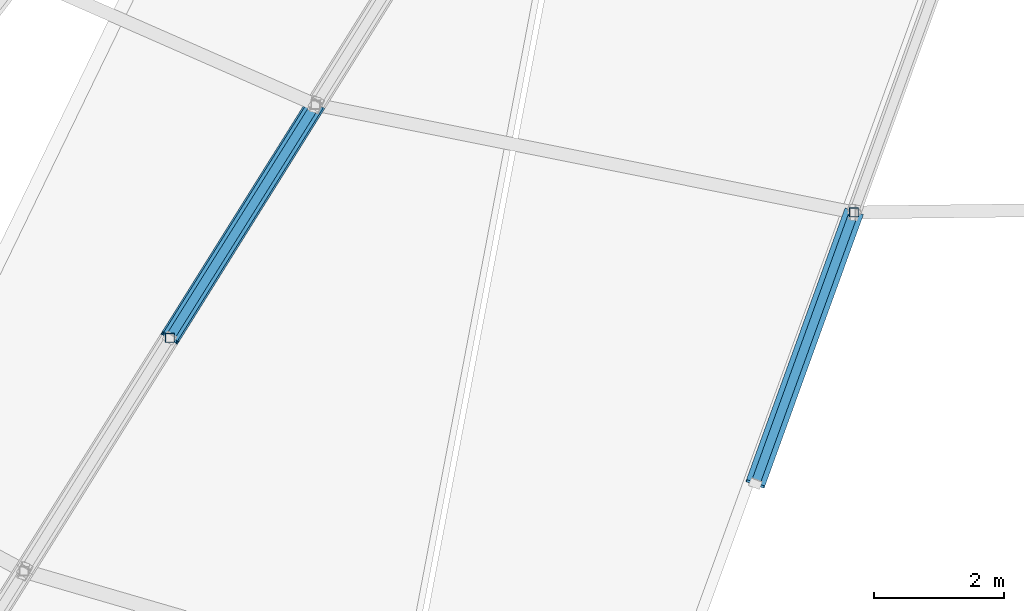
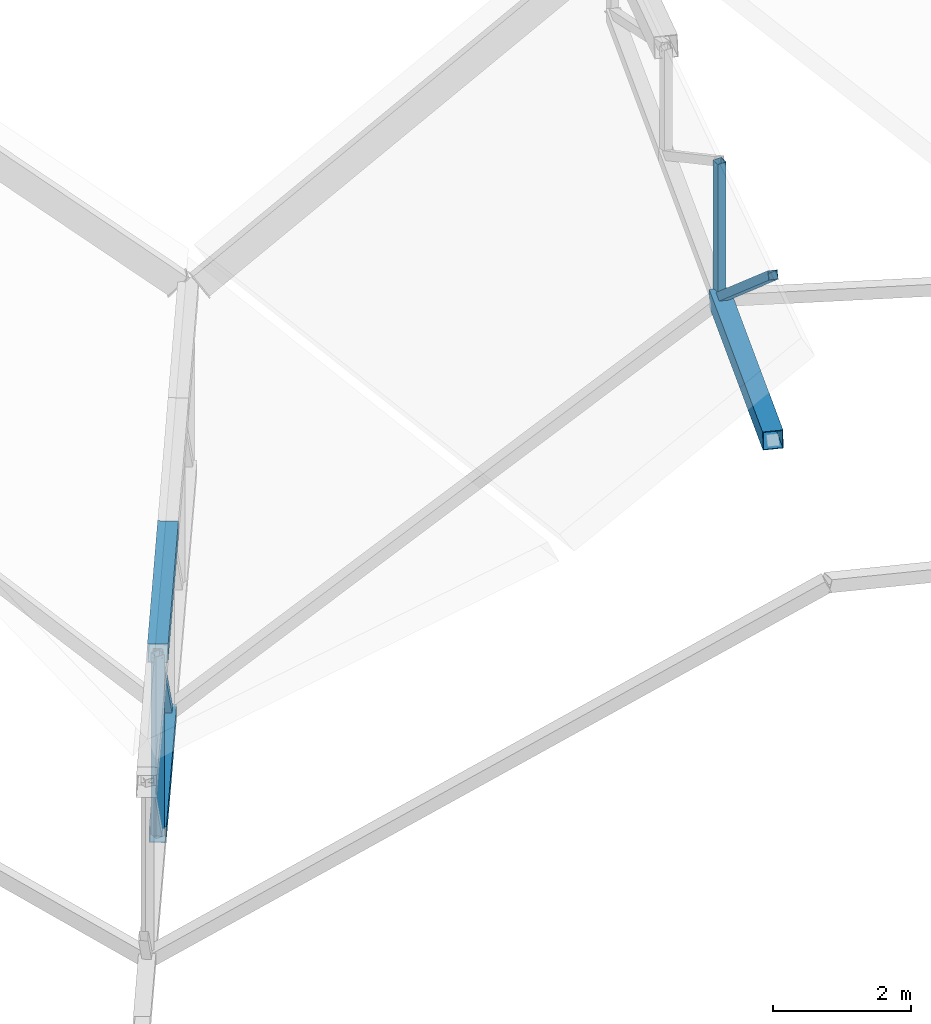
# One storey, part 30 of 344: 7 members.
"""IFC4 building model written with IfcOpenShell, lengths in metres."""

import ifcopenshell
import ifcopenshell.guid

model = None  # the IFC model being written
_history = None  # IfcOwnerHistory: only IFC2X3 demands one
_inside = {}  # id of a spatial element -> (the spatial element, [elements in it])
_under = {}  # id of a project, library or spatial element -> (it, [spatial elements below it])
_declared = {}  # id of a project -> (the project, [libraries it declares])
_typed = {}  # id of a type object -> (the type object, [elements of that type])
_made_of = {}  # id of a material, layer set ... -> (it, [elements and type objects made of it])


def new_model(schema):
    """Start an empty IFC model of exactly this schema.

    Asked for "IFC4X3", IfcOpenShell would pick the latest addendum, in which some entities
    have other attributes; the version numbers below select the first issue.
    IFC2X3 requires an IfcOwnerHistory on every rooted entity: one is made here for all.
    """
    global model, _history
    if schema == "IFC4X3":
        model = ifcopenshell.file(schema_version=(4, 3, 0, 0))
    else:
        model = ifcopenshell.file(schema=schema)
    _inside.clear()
    _under.clear()
    _declared.clear()
    _typed.clear()
    _made_of.clear()
    _history = None
    if model.schema == "IFC2X3":
        org = make("IfcOrganization", Name="unknown")
        user = make(
            "IfcPersonAndOrganization",
            ThePerson=make("IfcPerson", FamilyName="unknown"),
            TheOrganization=org,
        )
        app = make(
            "IfcApplication",
            ApplicationDeveloper=org,
            Version="unknown",
            ApplicationFullName="unknown",
            ApplicationIdentifier="unknown",
        )
        _history = make(
            "IfcOwnerHistory",
            OwningUser=user,
            OwningApplication=app,
            ChangeAction="ADDED",
            CreationDate=0,
        )
    return model


def make(cls, **values):
    """One entity of the class cls with the attributes given. An attribute that is None is left unset."""
    return model.create_entity(
        cls, **{name: value for name, value in values.items() if value is not None}
    )


def rooted(cls, **values):
    """An entity with a GlobalId (a new one), such as an element, a storey or a relation."""
    return make(cls, GlobalId=ifcopenshell.guid.new(), OwnerHistory=_history, **values)


def si_unit(unit_type, name, prefix=None):
    """IfcSIUnit, for example si_unit("LENGTHUNIT", "METRE", prefix="MILLI")."""
    return make("IfcSIUnit", UnitType=unit_type, Prefix=prefix, Name=name)


def assignment(units):
    """IfcUnitAssignment: the units of a project."""
    return None if units is None else make("IfcUnitAssignment", Units=units)


def point(xyz):
    """IfcCartesianPoint."""
    return None if xyz is None else make("IfcCartesianPoint", Coordinates=xyz)


def direction(xyz):
    """IfcDirection."""
    return None if xyz is None else make("IfcDirection", DirectionRatios=xyz)


def frame(location, z_axis=None, x_axis=None):
    """IfcAxis2Placement3D, a coordinate frame: its origin and axes. An axis left out is left unset."""
    return make(
        "IfcAxis2Placement3D",
        Location=point(location),
        Axis=direction(z_axis),
        RefDirection=direction(x_axis),
    )


def frame_2d(location, x_axis=None):
    """IfcAxis2Placement2D, a coordinate frame in the plane: its origin and x axis."""
    return make(
        "IfcAxis2Placement2D", Location=point(location), RefDirection=direction(x_axis)
    )


def origin():
    """The frame at (0, 0, 0) with its axes left unset."""
    return frame((0.0, 0.0, 0.0))


def origin_2d():
    """The frame at (0, 0) in the plane with its x axis left unset."""
    return frame_2d((0.0, 0.0))


def place(relative_to, where):
    """IfcLocalPlacement: puts the frame where relative to a parent placement (None: the world)."""
    return make(
        "IfcLocalPlacement", PlacementRelTo=relative_to, RelativePlacement=where
    )


def context(
    kind, dimensions, precision=None, world=None, true_north=None, identifier=None
):
    """IfcGeometricRepresentationContext, for example the 3D "Model" context."""
    return make(
        "IfcGeometricRepresentationContext",
        ContextIdentifier=identifier,
        ContextType=kind,
        CoordinateSpaceDimension=dimensions,
        Precision=precision,
        WorldCoordinateSystem=world,
        TrueNorth=true_north,
    )


def subcontext(parent, identifier, kind, view, scale=None):
    """IfcGeometricRepresentationSubContext, for example "Body" below "Model"."""
    return make(
        "IfcGeometricRepresentationSubContext",
        ContextIdentifier=identifier,
        ContextType=kind,
        ParentContext=parent,
        TargetScale=scale,
        TargetView=view,
    )


def project(units=None, contexts=None):
    """IfcProject with its units and contexts."""
    return rooted(
        "IfcProject",
        Name="project",
        RepresentationContexts=contexts,
        UnitsInContext=assignment(units),
    )


def spatial(cls, under=None, at=None, **own):
    """A site, building, storey or space (cls), placed at a placement, below another one or the project."""
    s = rooted(cls, ObjectPlacement=at, **own)
    if under is not None:
        _under.setdefault(under.id(), (under, []))[1].append(s)
    return s


def profile(cls, at=None, kind="AREA", **sizes):
    """A parametric profile (cls). Its sizes go by their IFC names, for example OverallWidth=200.0."""
    return make(cls, ProfileType=kind, Position=at, **sizes)


def hollow_rectangle(**sizes):
    """IfcRectangleHollowProfileDef."""
    return profile("IfcRectangleHollowProfileDef", **sizes)


def extrude(swept, where, along, depth):
    """IfcExtrudedAreaSolid: the profile swept, set in the frame where, extruded along a direction by depth."""
    return make(
        "IfcExtrudedAreaSolid",
        SweptArea=swept,
        Position=where,
        ExtrudedDirection=direction(along),
        Depth=depth,
    )


def shape(context_of_items, identifier, shape_type, items):
    """IfcShapeRepresentation: the items that make up one representation, for example the "Body"."""
    return make(
        "IfcShapeRepresentation",
        ContextOfItems=context_of_items,
        RepresentationIdentifier=identifier,
        RepresentationType=shape_type,
        Items=items,
    )


def material(Name=None, Category=None):
    """IfcMaterial."""
    return make("IfcMaterial", Name=Name, Category=Category)


def material_profile(
    of_material, cross_section, Name=None, Category=None, Priority=None
):
    """IfcMaterialProfile: a cross section and its material."""
    return make(
        "IfcMaterialProfile",
        Name=Name,
        Material=of_material,
        Profile=cross_section,
        Priority=Priority,
        Category=Category,
    )


def profile_set(profiles, Name=None, composite=None):
    """IfcMaterialProfileSet."""
    return make(
        "IfcMaterialProfileSet",
        Name=Name,
        MaterialProfiles=profiles,
        CompositeProfile=composite,
    )


def made_of(thing, what):
    """Note that an element or type object is made of a material, layer set ...; save() writes the relation."""
    if what is not None:
        _made_of.setdefault(what.id(), (what, []))[1].append(thing)
    return thing


def type_object(cls, material=None, **own):
    """A type object (cls), such as IfcWallType, which elements share."""
    return made_of(rooted(cls, **own), material)


def element(
    cls,
    number,
    at=None,
    inside=None,
    cuts=None,
    type_object=None,
    material=None,
    context=None,
    identifier="Body",
    shape_type=None,
    held_by="IfcProductDefinitionShape",
    body=None,
    shapes=None,
    **own,
):
    """One element of the class cls, such as IfcWall. Its Tag is "e" and its number.

    at: its placement. inside: the storey or other place that contains it. cuts: it is an
    opening in that element (IfcRelVoidsElement). A single representation is given by context,
    identifier, shape_type and body (its items); several are given by shapes. held_by: the class
    of the entity that holds the representations. save() writes the other relations.
    """
    e = rooted(cls, Tag="e%d" % number, ObjectPlacement=at, **own)
    if body is not None:
        shapes = [shape(context, identifier, shape_type, body)]
    if shapes is not None:
        e.Representation = make(held_by, Representations=shapes)
    if inside is not None:
        _inside.setdefault(inside.id(), (inside, []))[1].append(e)
    if cuts is not None:
        rooted(
            "IfcRelVoidsElement", RelatingBuildingElement=cuts, RelatedOpeningElement=e
        )
    if type_object is not None:
        _typed.setdefault(type_object.id(), (type_object, []))[1].append(e)
    return made_of(e, material)


def aggregate(whole, parts):
    """IfcRelAggregates: a whole, such as a stair, and the parts it consists of."""
    return rooted("IfcRelAggregates", RelatingObject=whole, RelatedObjects=parts)


def save(model, path):
    """Write the relations noted so far, then the file.

    IfcRelAggregates (storeys below a building ...), IfcRelContainedInSpatialStructure (elements
    in a storey), IfcRelDefinesByType, IfcRelAssociatesMaterial and IfcRelDeclares: one each for
    every whole, place, type object, material and project.
    """
    for whole, parts in _under.values():
        aggregate(whole, parts)
    for where, things in _inside.values():
        rooted(
            "IfcRelContainedInSpatialStructure",
            RelatedElements=things,
            RelatingStructure=where,
        )
    for kind, things in _typed.values():
        rooted("IfcRelDefinesByType", RelatedObjects=things, RelatingType=kind)
    for what, things in _made_of.values():
        rooted("IfcRelAssociatesMaterial", RelatedObjects=things, RelatingMaterial=what)
    for by, libraries in _declared.values():
        rooted("IfcRelDeclares", RelatingContext=by, RelatedDefinitions=libraries)
    model.write(path)


model = new_model("IFC4")

# Units and contexts
model_context = context("Model", 3, precision=1e-05, world=origin(), true_north=direction((0.0, 1.0)))
body_context = subcontext(model_context, "Body", "Model", "MODEL_VIEW")
ifc_project = project(units=[si_unit("LENGTHUNIT", "METRE"), si_unit("AREAUNIT", "SQUARE_METRE"), si_unit("VOLUMEUNIT", "CUBIC_METRE"), si_unit("PLANEANGLEUNIT", "RADIAN"), si_unit("MASSUNIT", "GRAM", prefix="KILO")], contexts=[model_context])

# Site, building, storey
site_placement = place(None, origin())
site = spatial("IfcSite", under=ifc_project, at=site_placement, CompositionType="ELEMENT")
building_placement = place(site_placement, origin())
building = spatial("IfcBuilding", under=site, at=building_placement, Name="Meseta Stadium", CompositionType="ELEMENT")
storey_placement = place(building_placement, frame((0.0, 0.0, 24.0)))
storey = spatial("IfcBuildingStorey", under=building, at=storey_placement, Name="L04", CompositionType="ELEMENT", Elevation=24.0)

# Members
ifc_material_1 = material(Name="Steel S355", Category="steel")
ifc_material_profile_1 = material_profile(ifc_material_1, hollow_rectangle(XDim=0.139892578125, YDim=0.139892578125, WallThickness=0.0048828125, at=origin_2d()), Name="SHS 140x140x5")
ifc_profile_set_1 = profile_set([ifc_material_profile_1], Name="Steel S355")
member_type_1 = type_object("IfcMemberType", Name="SHS 140x140x5 diagonal", PredefinedType="BRACE", material=ifc_profile_set_1)
member_1_placement = place(storey_placement, frame((-35.15380859375, -72.25048828125, 0.70458984375), z_axis=(-0.38565285101, -0.616673984515, 0.686283524012), x_axis=(0.847855154969, -0.53022790967, 0.0)))
element("IfcMember", 1, at=member_1_placement, inside=storey, type_object=member_type_1, Name="ROOF TRUSS RT-43 diagonal", PredefinedType="BRACE", context=body_context, shape_type="SweptSolid", body=[
    extrude(hollow_rectangle(XDim=0.139892578125, YDim=0.139892578125, WallThickness=0.0048828125, at=origin_2d()), origin(), (0.0, 0.0, 1.0), 5.797607421875),
])
member_2_placement = place(storey_placement, frame((-26.901123046875, -73.901611328125, 6.12548828125), z_axis=(-0.269119434077, -0.74147014085, 0.614651739142), x_axis=(0.939999305221, -0.341176356426, 0.0)))
element("IfcMember", 2, at=member_2_placement, inside=storey, type_object=member_type_1, Name="ROOF TRUSS RT-44 diagonal", PredefinedType="BRACE", context=body_context, shape_type="SweptSolid", body=[
    extrude(hollow_rectangle(XDim=0.139892578125, YDim=0.139892578125, WallThickness=0.0048828125, at=origin_2d()), origin(), (0.0, 0.0, 1.0), 5.61376953125),
])
ifc_material_2 = material(Name="Steel S355", Category="steel")
ifc_material_profile_2 = material_profile(ifc_material_2, hollow_rectangle(XDim=0.139892578125, YDim=0.139892578125, WallThickness=0.0048828125, at=origin_2d()), Name="SHS 140x140x5")
ifc_profile_set_2 = profile_set([ifc_material_profile_2], Name="Steel S355")
member_type_2 = type_object("IfcMemberType", Name="SHS 140x140x5 post", PredefinedType="POST", material=ifc_profile_set_2)
member_3_placement = place(storey_placement, frame((-37.3896484375, -75.82568359375, 1.483154296875), z_axis=(0.0, 0.0, 1.0), x_axis=(1.0, 0.0, 0.0)))
element("IfcMember", 3, at=member_3_placement, inside=storey, type_object=member_type_2, Name="ROOF TRUSS RT-43 post", PredefinedType="POST", context=body_context, shape_type="SweptSolid", body=[
    extrude(hollow_rectangle(XDim=0.139892578125, YDim=0.139892578125, WallThickness=0.0048828125, at=origin_2d()), origin(), (0.0, 0.0, 1.0), 3.2001953125),
])
member_4_placement = place(storey_placement, frame((-26.901123046875, -73.901611328125, 6.12548828125), z_axis=(0.0, 0.0, 1.0), x_axis=(1.0, 0.0, 0.0)))
element("IfcMember", 4, at=member_4_placement, inside=storey, type_object=member_type_2, Name="ROOF TRUSS RT-44 post", PredefinedType="POST", context=body_context, shape_type="SweptSolid", body=[
    extrude(hollow_rectangle(XDim=0.139892578125, YDim=0.139892578125, WallThickness=0.0048828125, at=origin_2d()), origin(), (0.0, 0.0, 1.0), 2.409423828125),
])
ifc_material_3 = material(Name="Steel S355", Category="steel")
ifc_material_profile_3 = material_profile(ifc_material_3, hollow_rectangle(XDim=0.25, YDim=0.25, WallThickness=0.010009765625, at=origin_2d()), Name="SHS 250x250x10")
ifc_profile_set_3 = profile_set([ifc_material_profile_3], Name="Steel S355")
member_type_3 = type_object("IfcMemberType", Name="SHS 250x250x10 bottom chord", PredefinedType="CHORD", material=ifc_profile_set_3)
member_5_placement = place(storey_placement, frame((-35.15380859375, -72.25048828125, 0.70458984375), z_axis=(-0.521414755543, -0.833762577001, 0.181567116775), x_axis=(0.847855154969, -0.53022790967, 0.0)))
element("IfcMember", 5, at=member_5_placement, inside=storey, type_object=member_type_3, Name="ROOF TRUSS RT-43 bottom chord", PredefinedType="CHORD", context=body_context, shape_type="SweptSolid", body=[
    extrude(hollow_rectangle(XDim=0.25, YDim=0.25, WallThickness=0.010009765625, at=origin_2d()), origin(), (0.0, 0.0, 1.0), 4.2880859375),
])
ifc_material_4 = material(Name="Steel S355", Category="steel")
ifc_material_profile_4 = material_profile(ifc_material_4, hollow_rectangle(XDim=0.300048828125, YDim=0.300048828125, WallThickness=0.010009765625, at=origin_2d()), Name="SHS 300x300x10")
ifc_profile_set_4 = profile_set([ifc_material_profile_4], Name="Steel S355")
member_type_4 = type_object("IfcMemberType", Name="SHS 300x300x10 bottom chord", PredefinedType="CHORD", material=ifc_profile_set_4)
member_6_placement = place(storey_placement, frame((-26.901123046875, -73.901611328125, 6.12548828125), z_axis=(-0.338700537674, -0.933178000454, 0.120252921989), x_axis=(0.939999305221, -0.341176356426, 0.0)))
element("IfcMember", 6, at=member_6_placement, inside=storey, type_object=member_type_4, Name="ROOF TRUSS RT-44 bottom chord", PredefinedType="CHORD", context=body_context, shape_type="SweptSolid", body=[
    extrude(hollow_rectangle(XDim=0.300048828125, YDim=0.300048828125, WallThickness=0.010009765625, at=origin_2d()), origin(), (0.0, 0.0, 1.0), 4.46044921875),
])
ifc_material_5 = material(Name="Steel S355", Category="steel")
ifc_material_profile_5 = material_profile(ifc_material_5, hollow_rectangle(XDim=0.300048828125, YDim=0.300048828125, WallThickness=0.010009765625, at=origin_2d()), Name="SHS 300x300x10")
ifc_profile_set_5 = profile_set([ifc_material_profile_5], Name="Steel S355")
member_type_5 = type_object("IfcMemberType", Name="SHS 300x300x10 top chord", PredefinedType="CHORD", material=ifc_profile_set_5)
member_7_placement = place(storey_placement, frame((-35.15380859375, -72.25048828125, 3.904541015625), z_axis=(-0.521409364603, -0.833753956676, 0.181622174392), x_axis=(0.847855154969, -0.53022790967, 0.0)))
element("IfcMember", 7, at=member_7_placement, inside=storey, type_object=member_type_5, Name="ROOF TRUSS RT-43 top chord", PredefinedType="CHORD", context=body_context, shape_type="SweptSolid", body=[
    extrude(hollow_rectangle(XDim=0.300048828125, YDim=0.300048828125, WallThickness=0.010009765625, at=origin_2d()), origin(), (0.0, 0.0, 1.0), 4.2880859375),
])

save(model, "model.ifc")
